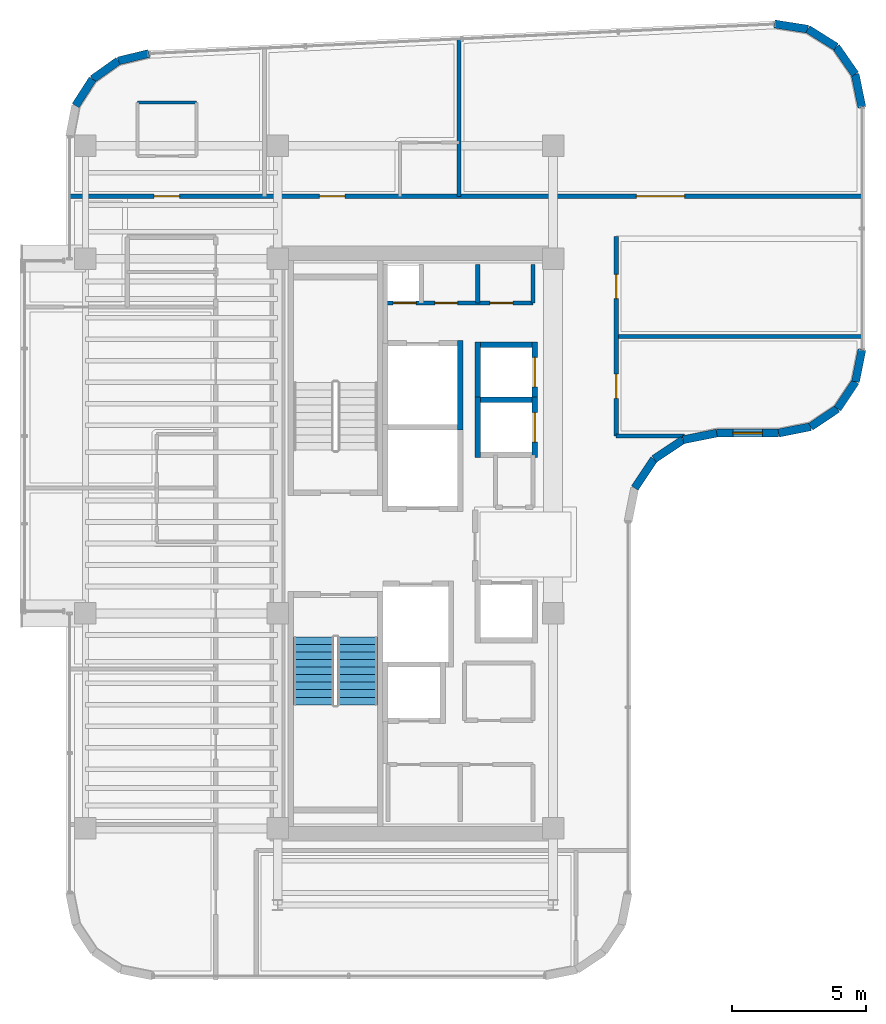
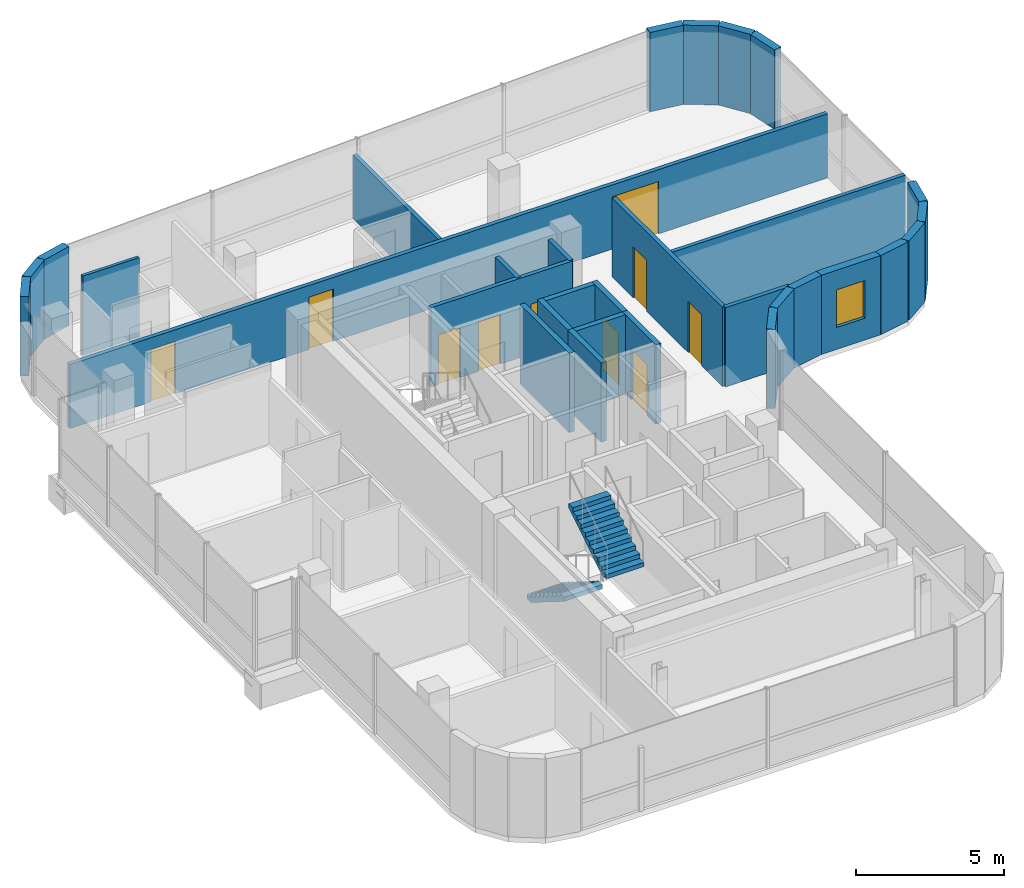
# One storey, part 16 of 20: 31 walls, 10 doors, 2 stair flights, 1 window, 11 openings, 1 element without a shape of its own.
"""IFC4 building model written with IfcOpenShell, lengths in metres."""

from ifc_helpers import new_model, si_unit, direction, frame, frame_2d, origin, place, context, subcontext, project, spatial, polyline, rectangle, outline, extrude, material, layer, layer_set, type_object, element, fill, aggregate, save


model = new_model("IFC4")

# Units and contexts
model_context = context("Model", 3, precision=1e-05, world=origin(), true_north=direction((0.0, 1.0)))
body_context = subcontext(model_context, "Body", "Model", "MODEL_VIEW")
ifc_project = project(units=[si_unit("LENGTHUNIT", "METRE"), si_unit("AREAUNIT", "SQUARE_METRE"), si_unit("VOLUMEUNIT", "CUBIC_METRE"), si_unit("PLANEANGLEUNIT", "RADIAN"), si_unit("MASSUNIT", "GRAM", prefix="KILO")], contexts=[model_context])

# Site, building, storey
site_placement = place(None, origin())
site = spatial("IfcSite", under=ifc_project, at=site_placement, CompositionType="ELEMENT")
building_placement = place(site_placement, origin())
building = spatial("IfcBuilding", under=site, at=building_placement, Name="Valdorenza Pilgrim Sanctuary Tower", CompositionType="ELEMENT")
storey_placement = place(building_placement, frame((0.0, 0.0, 280.0)))
storey = spatial("IfcBuildingStorey", under=building, at=storey_placement, Name="L73", CompositionType="ELEMENT", Elevation=280.0)

# Wall, openings, doors
ifc_material_1 = material(Name="Acoustic twin-stud gypsum partition", Category="gypsum")
ifc_layer_1 = layer(ifc_material_1, 0.159912109375, Name="Acoustic twin-stud gypsum partition")
ifc_layer_set_1 = layer_set([ifc_layer_1], Name="Acoustic twin-stud gypsum partition")
wall_type_1 = type_object("IfcWallType", Name="WAL-COR-160", PredefinedType="PARTITIONING", material=ifc_layer_set_1)
wall_1_placement = place(storey_placement, frame((-18.64990234375, 8.949951171875, 0.0), z_axis=(0.0, 0.0, 1.0), x_axis=(1.0, 0.0, 0.0)))
wall_1 = element("IfcWall", 1, at=wall_1_placement, inside=storey, type_object=wall_type_1, Name="L73 Core A North Service South Wall", PredefinedType="PARTITIONING", context=body_context, shape_type="SweptSolid", body=[
    extrude(rectangle(XDim=5.5, YDim=0.159912109375, at=frame_2d((2.75, 0.0))), origin(), (0.0, 0.0, 1.0), 3.260009765625),
])
opening_1_placement = place(wall_1_placement, frame((0.300048828125, 0.0, 0.0)))
opening_1 = element("IfcOpeningElement", 2, at=opening_1_placement, cuts=wall_1, Name="Opening DR-RS1", PredefinedType="OPENING", context=body_context, shape_type="SweptSolid", body=[
    extrude(rectangle(XDim=0.85009765625, YDim=2.050048828125, at=frame_2d((0.425048828125, 1.02490234375))), frame((0.0, 0.0947265625, 0.0), z_axis=(0.0, -1.0, 0.0), x_axis=(1.0, 0.0, 0.0)), (0.0, 0.0, 1.0), 0.189697265625),
])
opening_2_placement = place(wall_1_placement, frame((1.85009765625, 0.0, 0.0)))
opening_2 = element("IfcOpeningElement", 3, at=opening_2_placement, cuts=wall_1, Name="Opening DR-RS1", PredefinedType="OPENING", context=body_context, shape_type="SweptSolid", body=[
    extrude(rectangle(XDim=0.85009765625, YDim=2.050048828125, at=frame_2d((0.425048828125, 1.02490234375))), frame((0.0, 0.0947265625, 0.0), z_axis=(0.0, -1.0, 0.0), x_axis=(1.0, 0.0, 0.0)), (0.0, 0.0, 1.0), 0.189697265625),
])
opening_3_placement = place(wall_1_placement, frame((3.89990234375, 0.0, 0.0)))
opening_3 = element("IfcOpeningElement", 4, at=opening_3_placement, cuts=wall_1, Name="Opening DR-RS1", PredefinedType="OPENING", context=body_context, shape_type="SweptSolid", body=[
    extrude(rectangle(XDim=0.85009765625, YDim=2.050048828125, at=frame_2d((0.425048828125, 1.02490234375))), frame((0.0, 0.0947265625, 0.0), z_axis=(0.0, -1.0, 0.0), x_axis=(1.0, 0.0, 0.0)), (0.0, 0.0, 1.0), 0.189697265625),
])
ifc_material_2 = material(Name="Painted galvanized steel", Category="steel")
door_type_1 = type_object("IfcDoorType", Name="DR-RSR-850", OperationType="NOTDEFINED", PredefinedType="DOOR", material=ifc_material_2)
door_1_placement = place(opening_1_placement, origin())
door_1 = element("IfcDoor", 5, at=door_1_placement, inside=storey, type_object=door_type_1, Name="L73 Core Electrical and Telecom Riser Door", OperationType="SINGLE_SWING_LEFT", OverallHeight=2.050048828125, OverallWidth=0.85009765625, PredefinedType="DOOR", context=body_context, shape_type="SweptSolid", body=[
    extrude(rectangle(XDim=0.85009765625, YDim=2.050048828125, at=frame_2d((0.425048828125, 1.02490234375))), frame((0.0, 0.02490234375, 0.0), z_axis=(0.0, -1.0, 0.0), x_axis=(1.0, 0.0, 0.0)), (0.0, 0.0, 1.0), 0.050048828125),
])
fill(opening_1, door_1)
door_2_placement = place(opening_2_placement, origin())
door_2 = element("IfcDoor", 6, at=door_2_placement, inside=storey, type_object=door_type_1, Name="L73 Housekeeping and Clean Linen Room Door", OperationType="SINGLE_SWING_RIGHT", OverallHeight=2.050048828125, OverallWidth=0.85009765625, PredefinedType="DOOR", context=body_context, shape_type="SweptSolid", body=[
    extrude(rectangle(XDim=0.85009765625, YDim=2.050048828125, at=frame_2d((0.425048828125, 1.02490234375))), frame((0.0, 0.02490234375, 0.0), z_axis=(0.0, -1.0, 0.0), x_axis=(1.0, 0.0, 0.0)), (0.0, 0.0, 1.0), 0.050048828125),
])
fill(opening_2, door_2)
door_3_placement = place(opening_3_placement, origin())
door_3 = element("IfcDoor", 7, at=door_3_placement, inside=storey, type_object=door_type_1, Name="L73 Guest Ice and Vending Pantry Door", OperationType="SINGLE_SWING_LEFT", OverallHeight=2.050048828125, OverallWidth=0.85009765625, PredefinedType="DOOR", context=body_context, shape_type="SweptSolid", body=[
    extrude(rectangle(XDim=0.85009765625, YDim=2.050048828125, at=frame_2d((0.425048828125, 1.02490234375))), frame((0.0, 0.02490234375, 0.0), z_axis=(0.0, -1.0, 0.0), x_axis=(1.0, 0.0, 0.0)), (0.0, 0.0, 1.0), 0.050048828125),
])
fill(opening_3, door_3)

# Walls
for number, where, z_axis, x_axis, name in (
    (8, (-13.14990234375, 8.949951171875, 0.0), (0.0, 0.0, 1.0), (0.0, 1.0, 0.0), "L73 Core A North Service East Wall"),
    (9, (-15.199951171875, 8.949951171875, 0.0), (0.0, 0.0, 1.0), (0.0, 1.0, 0.0), "L73 Core A Housekeeping Split B"),
):
    element("IfcWall", number, at=place(storey_placement, frame(where, z_axis=z_axis, x_axis=x_axis)), inside=storey, type_object=wall_type_1, Name=name, PredefinedType="PARTITIONING", context=body_context, shape_type="SweptSolid", body=[
        extrude(rectangle(XDim=1.429931640625, YDim=0.159912109375, at=frame_2d((0.71484375, 0.0))), origin(), (0.0, 0.0, 1.0), 3.260009765625),
    ])

# Wall, openings, doors
wall_2_placement = place(storey_placement, frame((-30.389892578125, 12.919921875, 0.0), z_axis=(0.0, 0.0, 1.0), x_axis=(1.0, 0.0, 0.0)))
wall_2 = element("IfcWall", 10, at=wall_2_placement, inside=storey, type_object=wall_type_1, Name="L73 North Corridor Wall", PredefinedType="PARTITIONING", context=body_context, shape_type="SweptSolid", body=[
    extrude(rectangle(XDim=29.47998046875, YDim=0.159912109375, at=frame_2d((14.739990234375, 0.0))), origin(), (0.0, 0.0, 1.0), 2.634033203125),
])
opening_4_placement = place(wall_2_placement, frame((3.14794921875, 0.0, 0.0)))
opening_4 = element("IfcOpeningElement", 11, at=opening_4_placement, cuts=wall_2, Name="Opening DR-UN1", PredefinedType="OPENING", context=body_context, shape_type="SweptSolid", body=[
    extrude(rectangle(XDim=0.949951171875, YDim=2.14990234375, at=frame_2d((0.47509765625, 1.074951171875))), frame((0.0, 0.0947265625, 0.0), z_axis=(0.0, -1.0, 0.0), x_axis=(1.0, 0.0, 0.0)), (0.0, 0.0, 1.0), 0.189697265625),
])
opening_5_placement = place(wall_2_placement, frame((9.29296875, 0.0, 0.0)))
opening_5 = element("IfcOpeningElement", 12, at=opening_5_placement, cuts=wall_2, Name="Opening DR-UN1", PredefinedType="OPENING", context=body_context, shape_type="SweptSolid", body=[
    extrude(rectangle(XDim=0.949951171875, YDim=2.14990234375, at=frame_2d((0.47509765625, 1.074951171875))), frame((0.0, 0.0947265625, 0.0), z_axis=(0.0, -1.0, 0.0), x_axis=(1.0, 0.0, 0.0)), (0.0, 0.0, 1.0), 0.189697265625),
])
opening_6_placement = place(wall_2_placement, frame((21.0849609375, 0.0, 0.0)))
opening_6 = element("IfcOpeningElement", 13, at=opening_6_placement, cuts=wall_2, Name="Opening DR-HL1", PredefinedType="OPENING", context=body_context, shape_type="SweptSolid", body=[
    extrude(rectangle(XDim=1.800048828125, YDim=2.14990234375, at=frame_2d((0.89990234375, 1.074951171875))), frame((0.0, 0.0947265625, 0.0), z_axis=(0.0, -1.0, 0.0), x_axis=(1.0, 0.0, 0.0)), (0.0, 0.0, 1.0), 0.189697265625),
])
ifc_material_3 = material(Name="Acoustic oak and vision-glass double door", Category="glass")
door_type_2 = type_object("IfcDoorType", Name="DR-HALL-1800", OperationType="NOTDEFINED", PredefinedType="DOOR", material=ifc_material_3)
door_4_placement = place(opening_6_placement, origin())
door_4 = element("IfcDoor", 14, at=door_4_placement, inside=storey, type_object=door_type_2, Name="L73 Sacred Archive Reading Library L73-N2 Door", OperationType="DOUBLE_DOOR_SINGLE_SWING", OverallHeight=2.14990234375, OverallWidth=1.800048828125, PredefinedType="DOOR", context=body_context, shape_type="SweptSolid", body=[
    extrude(rectangle(XDim=1.800048828125, YDim=2.14990234375, at=frame_2d((0.89990234375, 1.074951171875))), frame((0.0, 0.02490234375, 0.0), z_axis=(0.0, -1.0, 0.0), x_axis=(1.0, 0.0, 0.0)), (0.0, 0.0, 1.0), 0.050048828125),
])
fill(opening_6, door_4)
ifc_material_4 = material(Name="Solid-core European oak timber", Category="wood")
door_type_3 = type_object("IfcDoorType", Name="DR-UNIT-950", OperationType="NOTDEFINED", PredefinedType="DOOR", material=ifc_material_4)
door_5_placement = place(opening_4_placement, origin())
door_5 = element("IfcDoor", 15, at=door_5_placement, inside=storey, type_object=door_type_3, Name="L73 North Grand Guest Room L73-N1A Entrance Door", OperationType="SINGLE_SWING_RIGHT", OverallHeight=2.14990234375, OverallWidth=0.949951171875, PredefinedType="DOOR", context=body_context, shape_type="SweptSolid", body=[
    extrude(rectangle(XDim=0.949951171875, YDim=2.14990234375, at=frame_2d((0.47509765625, 1.074951171875))), frame((0.0, 0.02490234375, 0.0), z_axis=(0.0, -1.0, 0.0), x_axis=(1.0, 0.0, 0.0)), (0.0, 0.0, 1.0), 0.050048828125),
])
fill(opening_4, door_5)
door_6_placement = place(opening_5_placement, origin())
door_6 = element("IfcDoor", 16, at=door_6_placement, inside=storey, type_object=door_type_3, Name="L73 North Grand Guest Room L73-N1B Entrance Door", OperationType="SINGLE_SWING_RIGHT", OverallHeight=2.14990234375, OverallWidth=0.949951171875, PredefinedType="DOOR", context=body_context, shape_type="SweptSolid", body=[
    extrude(rectangle(XDim=0.949951171875, YDim=2.14990234375, at=frame_2d((0.47509765625, 1.074951171875))), frame((0.0, 0.02490234375, 0.0), z_axis=(0.0, -1.0, 0.0), x_axis=(1.0, 0.0, 0.0)), (0.0, 0.0, 1.0), 0.050048828125),
])
fill(opening_5, door_6)

wall_3_placement = place(storey_placement, frame((-10.050048828125, 4.0, 0.0), z_axis=(0.0, 0.0, 1.0), x_axis=(0.0, 1.0, 0.0)))
wall_3 = element("IfcWall", 17, at=wall_3_placement, inside=storey, type_object=wall_type_1, Name="L73 East Stub Corridor Wall", PredefinedType="PARTITIONING", context=body_context, shape_type="SweptSolid", body=[
    extrude(rectangle(XDim=7.419921875, YDim=0.159912109375, at=frame_2d((3.7099609375, 0.0))), origin(), (0.0, 0.0, 1.0), 3.260009765625),
])
opening_7_placement = place(wall_3_placement, frame((1.405029296875, 0.0, 0.0)))
opening_7 = element("IfcOpeningElement", 18, at=opening_7_placement, cuts=wall_3, Name="Opening DR-RM1", PredefinedType="OPENING", context=body_context, shape_type="SweptSolid", body=[
    extrude(rectangle(XDim=0.89990234375, YDim=2.10009765625, at=frame_2d((0.449951171875, 1.050048828125))), frame((0.0, 0.0947265625, 0.0), z_axis=(0.0, -1.0, 0.0), x_axis=(1.0, 0.0, 0.0)), (0.0, 0.0, 1.0), 0.189697265625),
])
opening_8_placement = place(wall_3_placement, frame((5.114990234375, 0.0, 0.0)))
opening_8 = element("IfcOpeningElement", 19, at=opening_8_placement, cuts=wall_3, Name="Opening DR-RM1", PredefinedType="OPENING", context=body_context, shape_type="SweptSolid", body=[
    extrude(rectangle(XDim=0.89990234375, YDim=2.10009765625, at=frame_2d((0.449951171875, 1.050048828125))), frame((0.0, 0.0947265625, 0.0), z_axis=(0.0, -1.0, 0.0), x_axis=(1.0, 0.0, 0.0)), (0.0, 0.0, 1.0), 0.189697265625),
])
door_type_4 = type_object("IfcDoorType", Name="DR-ROOM-900", OperationType="NOTDEFINED", PredefinedType="DOOR", material=ifc_material_4)
door_7_placement = place(opening_7_placement, frame((0.89990234375, 0.0, 0.0), z_axis=(0.0, 0.0, 1.0), x_axis=(-1.0, 0.0, 0.0)))
door_7 = element("IfcDoor", 20, at=door_7_placement, inside=storey, type_object=door_type_4, Name="L73 Sacred Art Exhibition Gallery L73-E1 Door", OperationType="SINGLE_SWING_LEFT", OverallHeight=2.10009765625, OverallWidth=0.89990234375, PredefinedType="DOOR", context=body_context, shape_type="SweptSolid", body=[
    extrude(rectangle(XDim=0.89990234375, YDim=2.10009765625, at=frame_2d((0.449951171875, 1.050048828125))), frame((0.0, 0.02490234375, 0.0), z_axis=(0.0, -1.0, 0.0), x_axis=(1.0, 0.0, 0.0)), (0.0, 0.0, 1.0), 0.050048828125),
])
fill(opening_7, door_7)
door_8_placement = place(opening_8_placement, origin())
door_8 = element("IfcDoor", 21, at=door_8_placement, inside=storey, type_object=door_type_4, Name="L73 Sacred Art Exhibition Gallery L73-E2 Door", OperationType="SINGLE_SWING_RIGHT", OverallHeight=2.10009765625, OverallWidth=0.89990234375, PredefinedType="DOOR", context=body_context, shape_type="SweptSolid", body=[
    extrude(rectangle(XDim=0.89990234375, YDim=2.10009765625, at=frame_2d((0.449951171875, 1.050048828125))), frame((0.0, 0.02490234375, 0.0), z_axis=(0.0, -1.0, 0.0), x_axis=(1.0, 0.0, 0.0)), (0.0, 0.0, 1.0), 0.050048828125),
])
fill(opening_8, door_8)

# Walls
wall_4_placement = place(storey_placement, frame((-10.050048828125, 4.0, 0.0), z_axis=(0.0, 0.0, 1.0), x_axis=(1.0, 0.0, 0.0)))
element("IfcWall", 22, at=wall_4_placement, inside=storey, type_object=wall_type_1, Name="L73 East Stub South Wall", PredefinedType="PARTITIONING", context=body_context, shape_type="SweptSolid", body=[
    extrude(rectangle(XDim=2.545654296875, YDim=0.159912109375, at=frame_2d((1.27294921875, 0.0))), origin(), (0.0, 0.0, 1.0), 3.260009765625),
])
ifc_material_5 = material(Name="Honed travertine limestone", Category="masonry")
ifc_layer_2 = layer(ifc_material_5, 0.300048828125, Name="Honed travertine limestone")
ifc_layer_set_2 = layer_set([ifc_layer_2], Name="Honed travertine limestone")
wall_type_2 = type_object("IfcWallType", Name="WAL-EXT-300", PredefinedType="SOLIDWALL", material=ifc_layer_set_2)
wall_5_placement = place(storey_placement, frame((-30.16650390625, 16.29541015625, 0.0), z_axis=(0.0, 0.0, 1.0), x_axis=(0.540842020947, 0.841124193195, 0.0)))
element("IfcWall", 23, at=wall_5_placement, inside=storey, type_object=wall_type_2, Name="L73 Rounded Wind-Corner Stone Pier 3", PredefinedType="SOLIDWALL", context=body_context, shape_type="SweptSolid", body=[
    extrude(rectangle(XDim=1.169189453125, YDim=0.300048828125, at=frame_2d((0.58447265625, 0.0))), origin(), (0.0, 0.0, 1.0), 3.260009765625),
])
wall_6_placement = place(storey_placement, frame((-29.5341796875, 17.27880859375, 0.0), z_axis=(0.0, 0.0, 1.0), x_axis=(0.81466371606, 0.579933642527, 0.0)))
element("IfcWall", 24, at=wall_6_placement, inside=storey, type_object=wall_type_2, Name="L73 Rounded Wind-Corner Stone Pier 4", PredefinedType="SOLIDWALL", context=body_context, shape_type="SweptSolid", body=[
    extrude(rectangle(XDim=1.1689453125, YDim=0.300048828125, at=frame_2d((0.58447265625, 0.0))), origin(), (0.0, 0.0, 1.0), 3.260009765625),
])
wall_7_placement = place(storey_placement, frame((-28.581787109375, 17.956787109375, 0.0), z_axis=(0.0, 0.0, 1.0), x_axis=(0.971929016595, 0.235274279725, 0.0)))
element("IfcWall", 25, at=wall_7_placement, inside=storey, type_object=wall_type_2, Name="L73 Rounded Wind-Corner Stone Pier 5", PredefinedType="SOLIDWALL", context=body_context, shape_type="SweptSolid", body=[
    extrude(rectangle(XDim=1.179931640625, YDim=0.300048828125, at=frame_2d((0.58984375, 0.0))), origin(), (0.0, 0.0, 1.0), 3.260009765625),
])
wall_8_placement = place(storey_placement, frame((-4.15673828125, 19.331787109375, 0.0), z_axis=(0.0, 0.0, 1.0), x_axis=(0.987969236552, -0.15465053387, 0.0)))
element("IfcWall", 26, at=wall_8_placement, inside=storey, type_object=wall_type_2, Name="L73 Rounded Wind-Corner Stone Pier 7", PredefinedType="SOLIDWALL", context=body_context, shape_type="SweptSolid", body=[
    extrude(rectangle(XDim=1.251953125, YDim=0.300048828125, at=frame_2d((0.6259765625, 0.0))), origin(), (0.0, 0.0, 1.0), 3.260009765625),
])
for number, where, z_axis, x_axis, name in (
    (27, (-2.919921875, 19.13818359375, 0.0), (0.0, 0.0, 1.0), (0.847489288141, -0.530812496543, 0.0), "L73 Rounded Wind-Corner Stone Pier 8"),
    (28, (-1.86865234375, 18.479736328125, 0.0), (0.0, 0.0, 1.0), (0.570181861951, -0.821518499063, 0.0), "L73 Rounded Wind-Corner Stone Pier 9"),
):
    element("IfcWall", number, at=place(storey_placement, frame(where, z_axis=z_axis, x_axis=x_axis)), inside=storey, type_object=wall_type_2, Name=name, PredefinedType="SOLIDWALL", context=body_context, shape_type="SweptSolid", body=[
        extrude(rectangle(XDim=1.240478515625, YDim=0.300048828125, at=frame_2d((0.6201171875, 0.0))), origin(), (0.0, 0.0, 1.0), 3.260009765625),
    ])
wall_9_placement = place(storey_placement, frame((-1.161376953125, 17.460693359375, 0.0), z_axis=(0.0, 0.0, 1.0), x_axis=(0.20087696073, -0.979616479367, 0.0)))
element("IfcWall", 29, at=wall_9_placement, inside=storey, type_object=wall_type_2, Name="L73 Rounded Wind-Corner Stone Pier 10", PredefinedType="SOLIDWALL", context=body_context, shape_type="SweptSolid", body=[
    extrude(rectangle(XDim=1.251953125, YDim=0.300048828125, at=frame_2d((0.6259765625, 0.0))), origin(), (0.0, 0.0, 1.0), 3.260009765625),
])
wall_10_placement = place(storey_placement, frame((-0.909912109375, 7.210693359375, 0.0), z_axis=(0.0, 0.0, 1.0), x_axis=(-0.195189223115, -0.980765602568, 0.0)))
element("IfcWall", 30, at=wall_10_placement, inside=storey, type_object=wall_type_2, Name="L73 Rounded Wind-Corner Stone Pier 12", PredefinedType="SOLIDWALL", context=body_context, shape_type="SweptSolid", body=[
    extrude(rectangle(XDim=1.2158203125, YDim=0.300048828125, at=frame_2d((0.60791015625, 0.0))), origin(), (0.0, 0.0, 1.0), 3.260009765625),
])
for number, where, z_axis, x_axis, name in (
    (31, (-1.147216796875, 6.018310546875, 0.0), (0.0, 0.0, 1.0), (-0.555635100982, -0.831426265255, 0.0), "L73 Rounded Wind-Corner Stone Pier 13"),
    (32, (-1.816650390625, 5.0166015625, 0.0), (0.0, 0.0, 1.0), (-0.831426265255, -0.555635100982, 0.0), "L73 Rounded Wind-Corner Stone Pier 14"),
):
    element("IfcWall", number, at=place(storey_placement, frame(where, z_axis=z_axis, x_axis=x_axis)), inside=storey, type_object=wall_type_2, Name=name, PredefinedType="SOLIDWALL", context=body_context, shape_type="SweptSolid", body=[
        extrude(rectangle(XDim=1.204833984375, YDim=0.300048828125, at=frame_2d((0.6025390625, 0.0))), origin(), (0.0, 0.0, 1.0), 3.260009765625),
    ])
wall_11_placement = place(storey_placement, frame((-2.818359375, 4.34716796875, 0.0), z_axis=(0.0, 0.0, 1.0), x_axis=(-0.980804027463, -0.194996050505, 0.0)))
element("IfcWall", 33, at=wall_11_placement, inside=storey, type_object=wall_type_2, Name="L73 Rounded Wind-Corner Stone Pier 15", PredefinedType="SOLIDWALL", context=body_context, shape_type="SweptSolid", body=[
    extrude(rectangle(XDim=1.2158203125, YDim=0.300048828125, at=frame_2d((0.60791015625, 0.0))), origin(), (0.0, 0.0, 1.0), 3.260009765625),
])

# Wall, opening, window
wall_12_placement = place(storey_placement, frame((-4.0107421875, 4.110107421875, 0.0), z_axis=(0.0, 0.0, 1.0), x_axis=(-1.0, 0.0, 0.0)))
wall_12 = element("IfcWall", 34, at=wall_12_placement, inside=storey, type_object=wall_type_2, Name="L73 Rounded Wind-Corner Stone Pier 16", PredefinedType="SOLIDWALL", context=body_context, shape_type="SweptSolid", body=[
    extrude(rectangle(XDim=2.300048828125, YDim=0.300048828125, at=frame_2d((1.14990234375, 0.0))), origin(), (0.0, 0.0, 1.0), 3.260009765625),
])
opening_9_placement = place(wall_12_placement, frame((0.60009765625, 0.0, 0.89990234375)))
opening_9 = element("IfcOpeningElement", 35, at=opening_9_placement, cuts=wall_12, Name="Opening WN-CR1", PredefinedType="OPENING", context=body_context, shape_type="SweptSolid", body=[
    extrude(rectangle(XDim=1.10009765625, YDim=1.550048828125, at=frame_2d((0.550048828125, 0.77490234375))), frame((0.0, 0.1650390625, 0.0), z_axis=(0.0, -1.0, 0.0), x_axis=(1.0, 0.0, 0.0)), (0.0, 0.0, 1.0), 0.329833984375),
])
ifc_material_6 = material(Name="Ceramic-fritted low-E IGU glazing", Category="glass")
window_type = type_object("IfcWindowType", Name="WIN-CRN-1200", PartitioningType="SINGLE_PANEL", PredefinedType="WINDOW", material=ifc_material_6)
window_placement = place(opening_9_placement, origin())
window = element("IfcWindow", 36, at=window_placement, inside=storey, type_object=window_type, Name="L73 Rounded Corner Slot Window 16", OverallHeight=1.550048828125, OverallWidth=1.10009765625, PartitioningType="SINGLE_PANEL", PredefinedType="WINDOW", context=body_context, shape_type="SweptSolid", body=[
    extrude(rectangle(XDim=1.10009765625, YDim=1.550048828125, at=frame_2d((0.550048828125, 0.77490234375))), frame((0.0, 0.030029296875, 0.0), z_axis=(0.0, -1.0, 0.0), x_axis=(1.0, 0.0, 0.0)), (0.0, 0.0, 1.0), 0.06005859375),
])
fill(opening_9, window)

# Walls
wall_13_placement = place(storey_placement, frame((-6.310791015625, 4.110107421875, 0.0), z_axis=(0.0, 0.0, 1.0), x_axis=(-0.980778058848, -0.195126623715, 0.0)))
element("IfcWall", 37, at=wall_13_placement, inside=storey, type_object=wall_type_2, Name="L73 Rounded Wind-Corner Stone Pier 17", PredefinedType="SOLIDWALL", context=body_context, shape_type="SweptSolid", body=[
    extrude(rectangle(XDim=1.28125, YDim=0.300048828125, at=frame_2d((0.640625, 0.0))), origin(), (0.0, 0.0, 1.0), 3.260009765625),
])
for number, where, z_axis, x_axis, name in (
    (38, (-7.5673828125, 3.860107421875, 0.0), (0.0, 0.0, 1.0), (-0.831497739511, -0.555528135371, 0.0), "L73 Rounded Wind-Corner Stone Pier 18"),
    (39, (-8.64208984375, 3.14208984375, 0.0), (0.0, 0.0, 1.0), (-0.555528135371, -0.831497739511, 0.0), "L73 Rounded Wind-Corner Stone Pier 19"),
):
    element("IfcWall", number, at=place(storey_placement, frame(where, z_axis=z_axis, x_axis=x_axis)), inside=storey, type_object=wall_type_2, Name=name, PredefinedType="SOLIDWALL", context=body_context, shape_type="SweptSolid", body=[
        extrude(rectangle(XDim=1.29248046875, YDim=0.300048828125, at=frame_2d((0.646240234375, 0.0))), origin(), (0.0, 0.0, 1.0), 3.260009765625),
    ])
ifc_material_7 = material(Name="Moisture-resistant gypsum partition", Category="gypsum")
ifc_layer_3 = layer(ifc_material_7, 0.1201171875, Name="Moisture-resistant gypsum partition")
ifc_layer_set_3 = layer_set([ifc_layer_3], Name="Moisture-resistant gypsum partition")
wall_type_3 = type_object("IfcWallType", Name="WAL-INT-120", PredefinedType="PARTITIONING", material=ifc_layer_set_3)
wall_14_placement = place(storey_placement, frame((-27.867431640625, 16.406005859375, 0.0), z_axis=(0.0, 0.0, 1.0), x_axis=(1.0, 0.0, 0.0)))
element("IfcWall", 40, at=wall_14_placement, inside=storey, type_object=wall_type_3, Name="L73 North Grand Guest Room L73-N1A En-suite Back Wall", PredefinedType="PARTITIONING", context=body_context, shape_type="SweptSolid", body=[
    extrude(rectangle(XDim=2.199951171875, YDim=0.1201171875, at=frame_2d((1.10009765625, 0.0))), origin(), (0.0, 0.0, 1.0), 3.260009765625),
])
ifc_material_8 = material(Name="Autoclaved aerated concrete blockwork", Category="masonry")
ifc_layer_4 = layer(ifc_material_8, 0.199951171875, Name="Autoclaved aerated concrete blockwork")
ifc_layer_set_4 = layer_set([ifc_layer_4], Name="Autoclaved aerated concrete blockwork")
wall_type_4 = type_object("IfcWallType", Name="WAL-SHF-200", PredefinedType="MOVABLE", material=ifc_layer_set_4)
wall_15_placement = place(storey_placement, frame((-15.85009765625, 4.22509765625, 0.0), z_axis=(0.0, 0.0, 1.0), x_axis=(0.0, 1.0, 0.0)))
element("IfcWall", 41, at=wall_15_placement, inside=storey, type_object=wall_type_4, Name="L73 Lift SVL-01 Hoistway Wall East", PredefinedType="MOVABLE", context=body_context, shape_type="SweptSolid", body=[
    extrude(rectangle(XDim=3.324951171875, YDim=0.199951171875, at=frame_2d((1.66259765625, 0.0))), origin(), (0.0, 0.0, 1.0), 3.260009765625),
])
wall_16_placement = place(storey_placement, frame((-15.199951171875, 3.199951171875, 0.0), z_axis=(0.0, 0.0, 1.0), x_axis=(0.0, 1.0, 0.0)))
element("IfcWall", 42, at=wall_16_placement, inside=storey, type_object=wall_type_4, Name="L73 Lift PL-09 Hoistway Wall West", PredefinedType="MOVABLE", context=body_context, shape_type="SweptSolid", body=[
    extrude(rectangle(XDim=2.25, YDim=0.199951171875, at=frame_2d((1.125, 0.0))), origin(), (0.0, 0.0, 1.0), 3.260009765625),
])

# Wall, opening, door
wall_17_placement = place(storey_placement, frame((-13.080078125, 3.199951171875, 0.0), z_axis=(0.0, 0.0, 1.0), x_axis=(0.0, 1.0, 0.0)))
wall_17 = element("IfcWall", 43, at=wall_17_placement, inside=storey, type_object=wall_type_4, Name="L73 Lift PL-09 Hoistway Wall East", PredefinedType="MOVABLE", context=body_context, shape_type="SweptSolid", body=[
    extrude(rectangle(XDim=2.25, YDim=0.199951171875, at=frame_2d((1.125, 0.0))), origin(), (0.0, 0.0, 1.0), 3.260009765625),
])
opening_10_placement = place(wall_17_placement, frame((0.574951171875, 0.0, 0.0)))
opening_10 = element("IfcOpeningElement", 44, at=opening_10_placement, cuts=wall_17, Name="Opening LD-01", PredefinedType="OPENING", context=body_context, shape_type="SweptSolid", body=[
    extrude(rectangle(XDim=1.10009765625, YDim=2.10009765625, at=frame_2d((0.550048828125, 1.050048828125))), frame((0.0, 0.11474609375, 0.0), z_axis=(0.0, -1.0, 0.0), x_axis=(1.0, 0.0, 0.0)), (0.0, 0.0, 1.0), 0.229736328125),
])
ifc_material_9 = material(Name="Brushed stainless steel Grade 316", Category="steel")
door_type_5 = type_object("IfcDoorType", Name="DR-LFT-1100", OperationType="DOUBLE_DOOR_SLIDING", PredefinedType="DOOR", material=ifc_material_9)
door_9_placement = place(opening_10_placement, origin())
door_9 = element("IfcDoor", 45, at=door_9_placement, inside=storey, type_object=door_type_5, Name="L73 Lift PL-09 Sliding Landing Door", OperationType="DOUBLE_DOOR_SLIDING", OverallHeight=2.10009765625, OverallWidth=1.10009765625, PredefinedType="DOOR", context=body_context, shape_type="SweptSolid", body=[
    extrude(rectangle(XDim=1.10009765625, YDim=2.10009765625, at=frame_2d((0.550048828125, 1.050048828125))), frame((0.0, 0.02490234375, 0.0), z_axis=(0.0, -1.0, 0.0), x_axis=(1.0, 0.0, 0.0)), (0.0, 0.0, 1.0), 0.050048828125),
])
fill(opening_10, door_9)

# Walls
wall_18_placement = place(storey_placement, frame((-15.10009765625, 5.35009765625, 0.0), z_axis=(0.0, 0.0, 1.0), x_axis=(1.0, 0.0, 0.0)))
element("IfcWall", 46, at=wall_18_placement, inside=storey, type_object=wall_type_4, Name="L73 Lift PL-09 Hoistway Wall North", PredefinedType="MOVABLE", context=body_context, shape_type="SweptSolid", body=[
    extrude(rectangle(XDim=1.920166015625, YDim=0.199951171875, at=frame_2d((0.9599609375, 0.0))), origin(), (0.0, 0.0, 1.0), 3.260009765625),
])
wall_19_placement = place(storey_placement, frame((-15.199951171875, 5.25, 0.0), z_axis=(0.0, 0.0, 1.0), x_axis=(0.0, 1.0, 0.0)))
element("IfcWall", 47, at=wall_19_placement, inside=storey, type_object=wall_type_4, Name="L73 Lift PL-10 Hoistway Wall West", PredefinedType="MOVABLE", context=body_context, shape_type="SweptSolid", body=[
    extrude(rectangle(XDim=2.25, YDim=0.199951171875, at=frame_2d((1.125, 0.0))), origin(), (0.0, 0.0, 1.0), 3.260009765625),
])

# Wall, opening, door
wall_20_placement = place(storey_placement, frame((-13.080078125, 5.25, 0.0), z_axis=(0.0, 0.0, 1.0), x_axis=(0.0, 1.0, 0.0)))
wall_20 = element("IfcWall", 48, at=wall_20_placement, inside=storey, type_object=wall_type_4, Name="L73 Lift PL-10 Hoistway Wall East", PredefinedType="MOVABLE", context=body_context, shape_type="SweptSolid", body=[
    extrude(rectangle(XDim=2.25, YDim=0.199951171875, at=frame_2d((1.125, 0.0))), origin(), (0.0, 0.0, 1.0), 3.260009765625),
])
opening_11_placement = place(wall_20_placement, frame((0.574951171875, 0.0, 0.0)))
opening_11 = element("IfcOpeningElement", 49, at=opening_11_placement, cuts=wall_20, Name="Opening LD-01", PredefinedType="OPENING", context=body_context, shape_type="SweptSolid", body=[
    extrude(rectangle(XDim=1.10009765625, YDim=2.10009765625, at=frame_2d((0.550048828125, 1.050048828125))), frame((0.0, 0.11474609375, 0.0), z_axis=(0.0, -1.0, 0.0), x_axis=(1.0, 0.0, 0.0)), (0.0, 0.0, 1.0), 0.229736328125),
])
door_10_placement = place(opening_11_placement, origin())
door_10 = element("IfcDoor", 50, at=door_10_placement, inside=storey, type_object=door_type_5, Name="L73 Lift PL-10 Sliding Landing Door", OperationType="DOUBLE_DOOR_SLIDING", OverallHeight=2.10009765625, OverallWidth=1.10009765625, PredefinedType="DOOR", context=body_context, shape_type="SweptSolid", body=[
    extrude(rectangle(XDim=1.10009765625, YDim=2.10009765625, at=frame_2d((0.550048828125, 1.050048828125))), frame((0.0, 0.02490234375, 0.0), z_axis=(0.0, -1.0, 0.0), x_axis=(1.0, 0.0, 0.0)), (0.0, 0.0, 1.0), 0.050048828125),
])
fill(opening_11, door_10)

# Walls
wall_21_placement = place(storey_placement, frame((-15.10009765625, 7.39990234375, 0.0), z_axis=(0.0, 0.0, 1.0), x_axis=(1.0, 0.0, 0.0)))
element("IfcWall", 51, at=wall_21_placement, inside=storey, type_object=wall_type_4, Name="L73 Lift PL-10 Hoistway Wall North", PredefinedType="MOVABLE", context=body_context, shape_type="SweptSolid", body=[
    extrude(rectangle(XDim=1.920166015625, YDim=0.199951171875, at=frame_2d((0.9599609375, 0.0))), origin(), (0.0, 0.0, 1.0), 3.260009765625),
])
ifc_layer_5 = layer(ifc_material_1, 0.14990234375, Name="Acoustic twin-stud gypsum partition")
ifc_layer_set_5 = layer_set([ifc_layer_5], Name="Acoustic twin-stud gypsum partition")
wall_type_5 = type_object("IfcWallType", Name="WAL-UNT-150", PredefinedType="PARTITIONING", material=ifc_layer_set_5)
wall_22_placement = place(storey_placement, frame((-15.89990234375, 12.919921875, 0.0), z_axis=(0.0, 0.0, 1.0), x_axis=(0.0, 1.0, 0.0)))
element("IfcWall", 52, at=wall_22_placement, inside=storey, type_object=wall_type_5, Name="L73 North Residence Split", PredefinedType="PARTITIONING", context=body_context, shape_type="SweptSolid", body=[
    extrude(rectangle(XDim=5.858154296875, YDim=0.14990234375, at=frame_2d((2.92919921875, 0.0))), origin(), (0.0, 0.0, 1.0), 2.623046875),
])
wall_23_placement = place(storey_placement, frame((-10.050048828125, 7.7099609375, 0.0), z_axis=(0.0, 0.0, 1.0), x_axis=(1.0, 0.0, 0.0)))
element("IfcWall", 53, at=wall_23_placement, inside=storey, type_object=wall_type_5, Name="L73 Sacred Art Exhibition Gallery L73-E2 Demising Wall", PredefinedType="PARTITIONING", context=body_context, shape_type="SweptSolid", body=[
    extrude(rectangle(XDim=9.14013671875, YDim=0.14990234375, at=frame_2d((4.570068359375, 0.0))), origin(), (0.0, 0.0, 1.0), 3.260009765625),
])

# Stair, stair flights
ifc_material_10 = material(Name="Concrete C40/50", Category="concrete")
stair_type = type_object("IfcStairType", Name="STR-DOG-CORE", PredefinedType="HALF_TURN_STAIR", material=ifc_material_10)
stair_placement = place(storey_placement, origin())
stair = element("IfcStair", 54, at=stair_placement, inside=storey, type_object=stair_type, Name="L73 ST-A2", PredefinedType="HALF_TURN_STAIR")
stair_flight_type = type_object("IfcStairFlightType", Name="STF-RC-1400", PredefinedType="STRAIGHT", material=ifc_material_10)
stair_flight_1_placement = place(storey_placement, frame((-21.31005859375, -3.47998046875, 0.0), z_axis=(0.0, 0.0, 1.0), x_axis=(0.0, -1.0, 0.0)))
stair_flight_1 = element("IfcStairFlight", 55, at=stair_flight_1_placement, type_object=stair_flight_type, Name="ST-A2 flight 1", NumberOfRisers=10, NumberOfTreads=9, PredefinedType="STRAIGHT", RiserHeight=0.175, TreadLength=0.28, context=body_context, shape_type="SweptSolid", body=[
    extrude(outline(polyline([(0.0, 0.0), (0.0, 0.175048828125), (0.280029296875, 0.175048828125), (0.280029296875, 0.35009765625), (0.56005859375, 0.35009765625), (0.56005859375, 0.52490234375), (0.840087890625, 0.52490234375), (0.840087890625, 0.699951171875), (1.1201171875, 0.699951171875), (1.1201171875, 0.875), (1.39990234375, 0.875), (1.39990234375, 1.050048828125), (1.679931640625, 1.050048828125), (1.679931640625, 1.22509765625), (1.9599609375, 1.22509765625), (1.9599609375, 1.39990234375), (2.239990234375, 1.39990234375), (2.239990234375, 1.574951171875), (2.52001953125, 1.574951171875), (2.52001953125, 1.75), (2.52001953125, 1.398193359375), (0.28271484375, 0.0), (0.0, 0.0)])), frame((0.0, 0.739990234375, 0.0), z_axis=(0.0, -1.0, 0.0), x_axis=(1.0, 0.0, 0.0)), (0.0, 0.0, 1.0), 1.47998046875),
])
stair_flight_2_placement = place(storey_placement, frame((-19.679931640625, -6.0, 1.75), z_axis=(0.0, 0.0, 1.0), x_axis=(0.0, 1.0, 0.0)))
stair_flight_2 = element("IfcStairFlight", 56, at=stair_flight_2_placement, type_object=stair_flight_type, Name="ST-A2 flight 2", NumberOfRisers=10, NumberOfTreads=9, PredefinedType="STRAIGHT", RiserHeight=0.175, TreadLength=0.28, context=body_context, shape_type="SweptSolid", body=[
    extrude(outline(polyline([(0.0, 0.0), (0.0, 0.175048828125), (0.280029296875, 0.175048828125), (0.280029296875, 0.35009765625), (0.56005859375, 0.35009765625), (0.56005859375, 0.52490234375), (0.840087890625, 0.52490234375), (0.840087890625, 0.699951171875), (1.1201171875, 0.699951171875), (1.1201171875, 0.875), (1.39990234375, 0.875), (1.39990234375, 1.050048828125), (1.679931640625, 1.050048828125), (1.679931640625, 1.22509765625), (1.9599609375, 1.22509765625), (1.9599609375, 1.39990234375), (2.239990234375, 1.39990234375), (2.239990234375, 1.574951171875), (2.52001953125, 1.574951171875), (2.52001953125, 1.75), (2.52001953125, 1.398193359375), (0.28271484375, 0.0), (0.0, 0.0)])), frame((0.0, 0.739990234375, 0.0), z_axis=(0.0, -1.0, 0.0), x_axis=(1.0, 0.0, 0.0)), (0.0, 0.0, 1.0), 1.47998046875),
])
aggregate(stair, [stair_flight_1, stair_flight_2])

save(model, "model.ifc")
